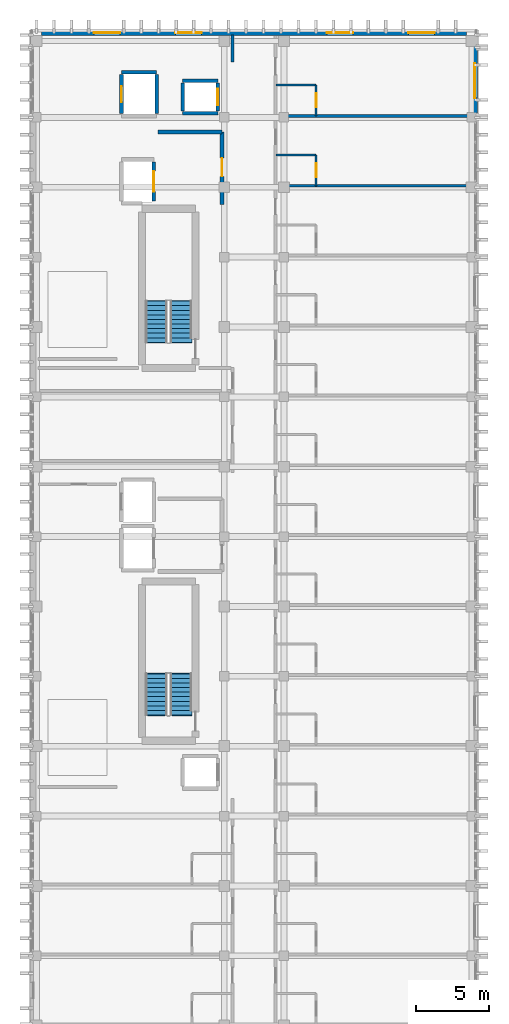
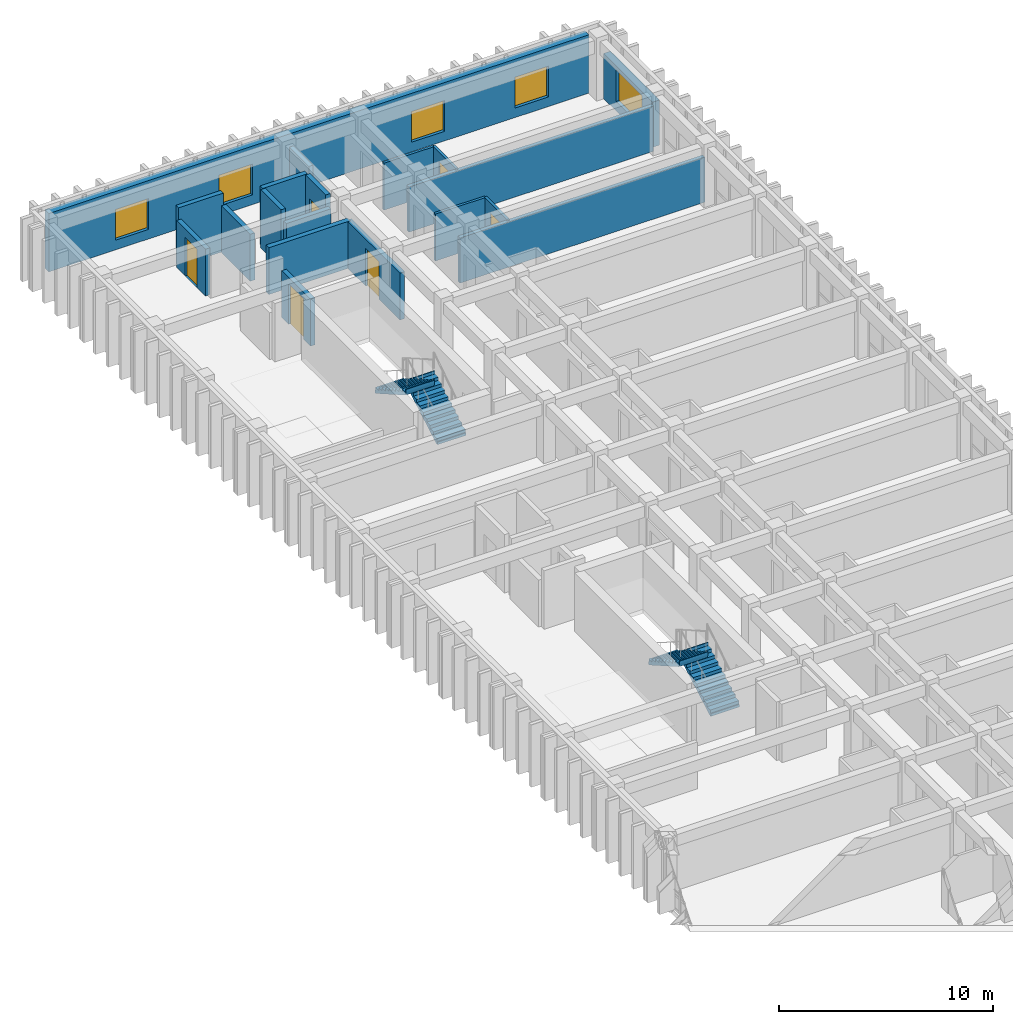
# One storey, part 55 of 64: 19 walls, 6 doors, 5 windows, 4 stair flights, 11 openings, 2 elements without a shape of their own.
"""IFC4 building model written with IfcOpenShell, lengths in metres."""

from ifc_helpers import new_model, si_unit, direction, frame, frame_2d, origin, place, context, subcontext, project, spatial, polyline, rectangle, outline, extrude, material, layer, layer_set, type_object, element, fill, aggregate, save


model = new_model("IFC4")

# Units and contexts
model_context = context("Model", 3, precision=1e-05, world=origin(), true_north=direction((0.0, 1.0)))
body_context = subcontext(model_context, "Body", "Model", "MODEL_VIEW")
ifc_project = project(units=[si_unit("LENGTHUNIT", "METRE"), si_unit("AREAUNIT", "SQUARE_METRE"), si_unit("VOLUMEUNIT", "CUBIC_METRE"), si_unit("PLANEANGLEUNIT", "RADIAN"), si_unit("MASSUNIT", "GRAM", prefix="KILO")], contexts=[model_context])

# Site, building, storey
site_placement = place(None, origin())
site = spatial("IfcSite", under=ifc_project, at=site_placement, CompositionType="ELEMENT")
building_placement = place(site_placement, origin())
building = spatial("IfcBuilding", under=site, at=building_placement, Name="Nakhvara Creek Congress Hotel", CompositionType="ELEMENT")
storey_placement = place(building_placement, frame((0.0, 0.0, 28.199951171875)))
storey = spatial("IfcBuildingStorey", under=building, at=storey_placement, Name="L06", CompositionType="ELEMENT", Elevation=28.199951171875)

# Wall
ifc_material_1 = material(Name="Gypsum acoustic board on steel stud", Category="steel")
ifc_layer_1 = layer(ifc_material_1, 0.219970703125)
ifc_layer_set_1 = layer_set([ifc_layer_1], Name="Gypsum acoustic board on steel stud")
wall_type_1 = type_object("IfcWallType", Name="W-CORR-220", PredefinedType="PARTITIONING", material=ifc_layer_set_1)
wall_1_placement = place(storey_placement, frame((162.919921875, 123.800048828125, 0.0), z_axis=(0.0, 0.0, 1.0), x_axis=(0.0, 1.0, 0.0)))
element("IfcWall", 1, at=wall_1_placement, inside=storey, type_object=wall_type_1, Name="Interior Wall WP11-IW-L06-0441", PredefinedType="PARTITIONING", context=body_context, shape_type="SweptSolid", body=[
    extrude(rectangle(XDim=1.849853515625, YDim=0.219970703125, at=frame_2d((0.9248046875, 0.0))), origin(), (0.0, 0.0, 1.0), 2.58203125),
])

# Wall, opening, door
ifc_material_2 = material(Name="Moisture-resistant gypsum board partition")
ifc_layer_2 = layer(ifc_material_2, 0.139892578125)
ifc_layer_set_2 = layer_set([ifc_layer_2], Name="Moisture-resistant gypsum board partition")
wall_type_2 = type_object("IfcWallType", Name="W-ENS-140", PredefinedType="PARTITIONING", material=ifc_layer_set_2)
wall_2_placement = place(storey_placement, frame((168.669921875, 115.300048828125, 0.0), z_axis=(0.0, 0.0, 1.0), x_axis=(0.0, 1.0, 0.0)))
wall_2 = element("IfcWall", 2, at=wall_2_placement, inside=storey, type_object=wall_type_2, Name="Interior Wall WP15-IW-L06-0513", PredefinedType="PARTITIONING", context=body_context, shape_type="SweptSolid", body=[
    extrude(rectangle(XDim=2.115966796875, YDim=0.139892578125, at=frame_2d((1.05810546875, 0.0))), origin(), (0.0, 0.0, 1.0), 2.68212890625),
])
opening_1_placement = place(wall_2_placement, frame((0.5830078125, 0.0, 0.0)))
opening_1 = element("IfcOpeningElement", 3, at=opening_1_placement, cuts=wall_2, Name="Opening ID02", PredefinedType="OPENING", context=body_context, shape_type="SweptSolid", body=[
    extrude(rectangle(XDim=0.9599609375, YDim=2.1201171875, at=frame_2d((0.47998046875, 1.06005859375))), frame((0.0, 0.08203125, 0.0), z_axis=(0.0, -1.0, 0.0), x_axis=(1.0, 0.0, 0.0)), (0.0, 0.0, 1.0), 0.163818359375),
])
ifc_material_3 = material(Name="Moisture-resistant walnut timber door", Category="wood")
door_type_1 = type_object("IfcDoorType", Name="DT-ENS-096", OperationType="NOTDEFINED", PredefinedType="DOOR", material=ifc_material_3)
door_1_placement = place(opening_1_placement, frame((0.9599609375, 0.0, 0.0), z_axis=(0.0, 0.0, 1.0), x_axis=(-1.0, 0.0, 0.0)))
door_1 = element("IfcDoor", 4, at=door_1_placement, inside=storey, type_object=door_type_1, Name="Interior Door ID02-0393", OperationType="SINGLE_SWING_RIGHT", OverallHeight=2.1201171875, OverallWidth=0.9599609375, PredefinedType="DOOR", context=body_context, shape_type="SweptSolid", body=[
    extrude(rectangle(XDim=0.9599609375, YDim=2.1201171875, at=frame_2d((0.47998046875, 1.06005859375))), frame((0.0, 0.02490234375, 0.0), z_axis=(0.0, -1.0, 0.0), x_axis=(1.0, 0.0, 0.0)), (0.0, 0.0, 1.0), 0.050048828125),
])
fill(opening_1, door_1)

# Wall
wall_3_placement = place(storey_placement, frame((165.919921875, 117.416015625, 0.0), z_axis=(0.0, 0.0, 1.0), x_axis=(1.0, 0.0, 0.0)))
element("IfcWall", 5, at=wall_3_placement, inside=storey, type_object=wall_type_2, Name="Interior Wall WP15-IW-L06-0514", PredefinedType="PARTITIONING", context=body_context, shape_type="SweptSolid", body=[
    extrude(rectangle(XDim=2.75, YDim=0.139892578125, at=frame_2d((1.375, 0.0))), origin(), (0.0, 0.0, 1.0), 2.68212890625),
])

# Wall, opening, door
wall_4_placement = place(storey_placement, frame((168.669921875, 120.10009765625, 0.0), z_axis=(0.0, 0.0, 1.0), x_axis=(0.0, 1.0, 0.0)))
wall_4 = element("IfcWall", 6, at=wall_4_placement, inside=storey, type_object=wall_type_2, Name="Interior Wall WP15-IW-L06-0516", PredefinedType="PARTITIONING", context=body_context, shape_type="SweptSolid", body=[
    extrude(rectangle(XDim=2.115966796875, YDim=0.139892578125, at=frame_2d((1.05810546875, 0.0))), origin(), (0.0, 0.0, 1.0), 2.68212890625),
])
opening_2_placement = place(wall_4_placement, frame((0.5830078125, 0.0, 0.0)))
opening_2 = element("IfcOpeningElement", 7, at=opening_2_placement, cuts=wall_4, Name="Opening ID02", PredefinedType="OPENING", context=body_context, shape_type="SweptSolid", body=[
    extrude(rectangle(XDim=0.9599609375, YDim=2.1201171875, at=frame_2d((0.47998046875, 1.06005859375))), frame((0.0, 0.08203125, 0.0), z_axis=(0.0, -1.0, 0.0), x_axis=(1.0, 0.0, 0.0)), (0.0, 0.0, 1.0), 0.163818359375),
])
door_2_placement = place(opening_2_placement, frame((0.9599609375, 0.0, 0.0), z_axis=(0.0, 0.0, 1.0), x_axis=(-1.0, 0.0, 0.0)))
door_2 = element("IfcDoor", 8, at=door_2_placement, inside=storey, type_object=door_type_1, Name="Interior Door ID02-0395", OperationType="SINGLE_SWING_RIGHT", OverallHeight=2.1201171875, OverallWidth=0.9599609375, PredefinedType="DOOR", context=body_context, shape_type="SweptSolid", body=[
    extrude(rectangle(XDim=0.9599609375, YDim=2.1201171875, at=frame_2d((0.47998046875, 1.06005859375))), frame((0.0, 0.02490234375, 0.0), z_axis=(0.0, -1.0, 0.0), x_axis=(1.0, 0.0, 0.0)), (0.0, 0.0, 1.0), 0.050048828125),
])
fill(opening_2, door_2)

# Wall
wall_5_placement = place(storey_placement, frame((165.919921875, 122.216064453125, 0.0), z_axis=(0.0, 0.0, 1.0), x_axis=(1.0, 0.0, 0.0)))
element("IfcWall", 9, at=wall_5_placement, inside=storey, type_object=wall_type_2, Name="Interior Wall WP15-IW-L06-0517", PredefinedType="PARTITIONING", context=body_context, shape_type="SweptSolid", body=[
    extrude(rectangle(XDim=2.75, YDim=0.139892578125, at=frame_2d((1.375, 0.0))), origin(), (0.0, 0.0, 1.0), 2.68212890625),
])

# Wall, openings, windows
ifc_material_4 = material(Name="Honed pale Omani limestone cladding", Category="masonry")
ifc_layer_3 = layer(ifc_material_4, 0.050048828125)
ifc_material_5 = material(Name="Mineral wool thermal insulation")
ifc_layer_4 = layer(ifc_material_5, 0.110107421875)
ifc_material_6 = material(Name="Precast concrete C40/50", Category="concrete")
ifc_layer_5 = layer(ifc_material_6, 0.219970703125)
ifc_layer_set_3 = layer_set([ifc_layer_3, ifc_layer_4, ifc_layer_5], Name="Precast concrete C40/50")
wall_type_3 = type_object("IfcWallType", Name="W-EXT-380", PredefinedType="SOLIDWALL", material=ifc_layer_set_3)
wall_6_placement = place(storey_placement, frame((149.800048828125, 125.81005859375, 0.0), z_axis=(0.0, 0.0, 1.0), x_axis=(1.0, 0.0, 0.0)))
wall_6 = element("IfcWall", 10, at=wall_6_placement, inside=storey, type_object=wall_type_3, Name="Exterior Wall WE03-EW-L06-0162", PredefinedType="SOLIDWALL", context=body_context, shape_type="SweptSolid", body=[
    extrude(rectangle(XDim=29.199951171875, YDim=0.3798828125, at=frame_2d((14.60009765625, 0.0))), origin(), (0.0, 0.0, 1.0), 3.340087890625),
])
opening_3_placement = place(wall_6_placement, frame((3.60009765625, 0.0, 0.550048828125)))
opening_3 = element("IfcOpeningElement", 11, at=opening_3_placement, cuts=wall_6, Name="Opening WN0170", PredefinedType="OPENING", context=body_context, shape_type="SweptSolid", body=[
    extrude(rectangle(XDim=1.800048828125, YDim=1.760009765625, at=frame_2d((0.89990234375, 0.8798828125))), frame((0.0, 0.201904296875, 0.0), z_axis=(0.0, -1.0, 0.0), x_axis=(1.0, 0.0, 0.0)), (0.0, 0.0, 1.0), 0.40380859375),
])
opening_4_placement = place(wall_6_placement, frame((9.199951171875, 0.0, 0.550048828125)))
opening_4 = element("IfcOpeningElement", 12, at=opening_4_placement, cuts=wall_6, Name="Opening WN0171", PredefinedType="OPENING", context=body_context, shape_type="SweptSolid", body=[
    extrude(rectangle(XDim=1.800048828125, YDim=1.760009765625, at=frame_2d((0.89990234375, 0.8798828125))), frame((0.0, 0.201904296875, 0.0), z_axis=(0.0, -1.0, 0.0), x_axis=(1.0, 0.0, 0.0)), (0.0, 0.0, 1.0), 0.40380859375),
])
opening_5_placement = place(wall_6_placement, frame((19.60009765625, 0.0, 0.550048828125)))
opening_5 = element("IfcOpeningElement", 13, at=opening_5_placement, cuts=wall_6, Name="Opening WN0172", PredefinedType="OPENING", context=body_context, shape_type="SweptSolid", body=[
    extrude(rectangle(XDim=1.800048828125, YDim=1.760009765625, at=frame_2d((0.89990234375, 0.8798828125))), frame((0.0, 0.201904296875, 0.0), z_axis=(0.0, -1.0, 0.0), x_axis=(1.0, 0.0, 0.0)), (0.0, 0.0, 1.0), 0.40380859375),
])
opening_6_placement = place(wall_6_placement, frame((25.199951171875, 0.0, 0.550048828125)))
opening_6 = element("IfcOpeningElement", 14, at=opening_6_placement, cuts=wall_6, Name="Opening WN0173", PredefinedType="OPENING", context=body_context, shape_type="SweptSolid", body=[
    extrude(rectangle(XDim=1.800048828125, YDim=1.760009765625, at=frame_2d((0.89990234375, 0.8798828125))), frame((0.0, 0.201904296875, 0.0), z_axis=(0.0, -1.0, 0.0), x_axis=(1.0, 0.0, 0.0)), (0.0, 0.0, 1.0), 0.40380859375),
])
ifc_material_7 = material(Name="Thermally broken bronze-anodised aluminium and double-silver low-E insulated glass", Category="aluminium")
window_type_1 = type_object("IfcWindowType", Name="WN-LAN-180X225", PartitioningType="SINGLE_PANEL", PredefinedType="WINDOW", material=ifc_material_7)
window_1_placement = place(opening_3_placement, origin())
window_1 = element("IfcWindow", 15, at=window_1_placement, inside=storey, type_object=window_type_1, Name="Facade Window WN0170", OverallHeight=1.760009765625, OverallWidth=1.800048828125, PartitioningType="SINGLE_PANEL", PredefinedType="WINDOW", context=body_context, shape_type="SweptSolid", body=[
    extrude(rectangle(XDim=1.800048828125, YDim=1.760009765625, at=frame_2d((0.89990234375, 0.8798828125))), frame((0.0, 0.030029296875, 0.0), z_axis=(0.0, -1.0, 0.0), x_axis=(1.0, 0.0, 0.0)), (0.0, 0.0, 1.0), 0.06005859375),
])
fill(opening_3, window_1)
window_2_placement = place(opening_4_placement, origin())
window_2 = element("IfcWindow", 16, at=window_2_placement, inside=storey, type_object=window_type_1, Name="Facade Window WN0171", OverallHeight=1.760009765625, OverallWidth=1.800048828125, PartitioningType="SINGLE_PANEL", PredefinedType="WINDOW", context=body_context, shape_type="SweptSolid", body=[
    extrude(rectangle(XDim=1.800048828125, YDim=1.760009765625, at=frame_2d((0.89990234375, 0.8798828125))), frame((0.0, 0.030029296875, 0.0), z_axis=(0.0, -1.0, 0.0), x_axis=(1.0, 0.0, 0.0)), (0.0, 0.0, 1.0), 0.06005859375),
])
fill(opening_4, window_2)
window_3_placement = place(opening_5_placement, origin())
window_3 = element("IfcWindow", 17, at=window_3_placement, inside=storey, type_object=window_type_1, Name="Facade Window WN0172", OverallHeight=1.760009765625, OverallWidth=1.800048828125, PartitioningType="SINGLE_PANEL", PredefinedType="WINDOW", context=body_context, shape_type="SweptSolid", body=[
    extrude(rectangle(XDim=1.800048828125, YDim=1.760009765625, at=frame_2d((0.89990234375, 0.8798828125))), frame((0.0, 0.030029296875, 0.0), z_axis=(0.0, -1.0, 0.0), x_axis=(1.0, 0.0, 0.0)), (0.0, 0.0, 1.0), 0.06005859375),
])
fill(opening_5, window_3)
window_4_placement = place(opening_6_placement, origin())
window_4 = element("IfcWindow", 18, at=window_4_placement, inside=storey, type_object=window_type_1, Name="Facade Window WN0173", OverallHeight=1.760009765625, OverallWidth=1.800048828125, PartitioningType="SINGLE_PANEL", PredefinedType="WINDOW", context=body_context, shape_type="SweptSolid", body=[
    extrude(rectangle(XDim=1.800048828125, YDim=1.760009765625, at=frame_2d((0.89990234375, 0.8798828125))), frame((0.0, 0.030029296875, 0.0), z_axis=(0.0, -1.0, 0.0), x_axis=(1.0, 0.0, 0.0)), (0.0, 0.0, 1.0), 0.06005859375),
])
fill(opening_6, window_4)

# Wall, opening, window
wall_7_placement = place(storey_placement, frame((179.56005859375, 124.89990234375, 0.0), z_axis=(0.0, 0.0, 1.0), x_axis=(0.0, -1.0, 0.0)))
wall_7 = element("IfcWall", 19, at=wall_7_placement, inside=storey, type_object=wall_type_3, Name="Exterior Wall WE03-EW-L06-0175", PredefinedType="SOLIDWALL", context=body_context, shape_type="SweptSolid", body=[
    extrude(rectangle(XDim=4.599853515625, YDim=0.3798828125, at=frame_2d((2.2998046875, 0.0))), origin(), (0.0, 0.0, 1.0), 2.58203125),
])
opening_7_placement = place(wall_7_placement, frame((1.18505859375, 0.0, 0.550048828125)))
opening_7 = element("IfcOpeningElement", 20, at=opening_7_placement, cuts=wall_7, Name="Opening WN0185", PredefinedType="OPENING", context=body_context, shape_type="SweptSolid", body=[
    extrude(rectangle(XDim=2.39990234375, YDim=1.800048828125, at=frame_2d((1.199951171875, 0.89990234375))), frame((0.0, 0.201904296875, 0.0), z_axis=(0.0, -1.0, 0.0), x_axis=(1.0, 0.0, 0.0)), (0.0, 0.0, 1.0), 0.40380859375),
])
window_type_2 = type_object("IfcWindowType", Name="WN-LAN-240X240", PartitioningType="SINGLE_PANEL", PredefinedType="WINDOW", material=ifc_material_7)
window_5_placement = place(opening_7_placement, origin())
window_5 = element("IfcWindow", 21, at=window_5_placement, inside=storey, type_object=window_type_2, Name="Facade Window WN0185", OverallHeight=1.800048828125, OverallWidth=2.39990234375, PartitioningType="SINGLE_PANEL", PredefinedType="WINDOW", context=body_context, shape_type="SweptSolid", body=[
    extrude(rectangle(XDim=2.39990234375, YDim=1.800048828125, at=frame_2d((1.199951171875, 0.89990234375))), frame((0.0, 0.030029296875, 0.0), z_axis=(0.0, -1.0, 0.0), x_axis=(1.0, 0.0, 0.0)), (0.0, 0.0, 1.0), 0.06005859375),
])
fill(opening_7, window_5)

# Wall, opening, door
ifc_material_8 = material(Name="Concrete C40/50", Category="concrete")
ifc_layer_6 = layer(ifc_material_8, 0.260009765625)
ifc_layer_set_4 = layer_set([ifc_layer_6], Name="Concrete C40/50")
wall_type_4 = type_object("IfcWallType", Name="W-FFL-260", PredefinedType="SOLIDWALL", material=ifc_layer_set_4)
wall_8_placement = place(storey_placement, frame((162.199951171875, 114.0, 0.0), z_axis=(0.0, 0.0, 1.0), x_axis=(0.0, 1.0, 0.0)))
wall_8 = element("IfcWall", 22, at=wall_8_placement, inside=storey, type_object=wall_type_4, Name="Core Shear Wall WI03-CWALL-L06-0428", PredefinedType="SOLIDWALL", context=body_context, shape_type="SweptSolid", body=[
    extrude(rectangle(XDim=5.0, YDim=0.260009765625, at=frame_2d((2.5, 0.0))), origin(), (0.0, 0.0, 1.0), 2.68212890625),
])
opening_8_placement = place(wall_8_placement, frame((1.949951171875, 0.0, 0.0)))
opening_8 = element("IfcOpeningElement", 23, at=opening_8_placement, cuts=wall_8, Name="Opening FD05", PredefinedType="OPENING", context=body_context, shape_type="SweptSolid", body=[
    extrude(rectangle(XDim=1.25, YDim=2.14990234375, at=frame_2d((0.625, 1.074951171875))), frame((0.0, 0.14208984375, 0.0), z_axis=(0.0, -1.0, 0.0), x_axis=(1.0, 0.0, 0.0)), (0.0, 0.0, 1.0), 0.283935546875),
])
ifc_material_9 = material(Name="Hardwood-veneered steel fire door", Category="steel")
door_type_2 = type_object("IfcDoorType", Name="DT-FFL-125", OperationType="NOTDEFINED", PredefinedType="DOOR", material=ifc_material_9)
door_3_placement = place(opening_8_placement, origin())
door_3 = element("IfcDoor", 24, at=door_3_placement, inside=storey, type_object=door_type_2, Name="Firefighting Lobby Door C2-L06", OperationType="DOUBLE_DOOR_SINGLE_SWING", OverallHeight=2.14990234375, OverallWidth=1.25, PredefinedType="DOOR", context=body_context, shape_type="SweptSolid", body=[
    extrude(rectangle(XDim=1.25, YDim=2.14990234375, at=frame_2d((0.625, 1.074951171875))), frame((0.0, 0.02490234375, 0.0), z_axis=(0.0, -1.0, 0.0), x_axis=(1.0, 0.0, 0.0)), (0.0, 0.0, 1.0), 0.050048828125),
])
fill(opening_8, door_3)

# Walls
wall_9_placement = place(storey_placement, frame((157.800048828125, 119.0, 0.0), z_axis=(0.0, 0.0, 1.0), x_axis=(1.0, 0.0, 0.0)))
element("IfcWall", 25, at=wall_9_placement, inside=storey, type_object=wall_type_4, Name="Core Shear Wall WI03-CWALL-L06-0429", PredefinedType="SOLIDWALL", context=body_context, shape_type="SweptSolid", body=[
    extrude(rectangle(XDim=4.39990234375, YDim=0.260009765625, at=frame_2d((2.199951171875, 0.0))), origin(), (0.0, 0.0, 1.0), 2.68212890625),
])
ifc_layer_7 = layer(ifc_material_1, 0.199951171875)
ifc_layer_set_5 = layer_set([ifc_layer_7], Name="Gypsum acoustic board on steel stud")
wall_type_5 = type_object("IfcWallType", Name="W-PART-200", PredefinedType="PARTITIONING", material=ifc_layer_set_5)
for number, where, z_axis, x_axis, name in (
    (26, (166.02001953125, 115.300048828125, 0.0), (0.0, 0.0, 1.0), (1.0, 0.0, 0.0), "Interior Wall WP12-IW-L06-0512"),
    (27, (166.02001953125, 120.10009765625, 0.0), (0.0, 0.0, 1.0), (1.0, 0.0, 0.0), "Interior Wall WP12-IW-L06-0515"),
):
    element("IfcWall", number, at=place(storey_placement, frame(where, z_axis=z_axis, x_axis=x_axis)), inside=storey, type_object=wall_type_5, Name=name, PredefinedType="PARTITIONING", context=body_context, shape_type="SweptSolid", body=[
        extrude(rectangle(XDim=13.22998046875, YDim=0.199951171875, at=frame_2d((6.614990234375, 0.0))), origin(), (0.0, 0.0, 1.0), 2.58203125),
    ])

# Wall, opening, door
ifc_layer_8 = layer(ifc_material_8, 0.25)
ifc_layer_set_6 = layer_set([ifc_layer_8], Name="Concrete C40/50")
wall_type_6 = type_object("IfcWallType", Name="W-SHAFT-250", PredefinedType="SOLIDWALL", material=ifc_layer_set_6)
wall_10_placement = place(storey_placement, frame((157.510009765625, 114.25, 0.0), z_axis=(0.0, 0.0, 1.0), x_axis=(0.0, 1.0, 0.0)))
wall_10 = element("IfcWall", 28, at=wall_10_placement, inside=storey, type_object=wall_type_6, Name="Core Shear Wall WI02-CWALL-L06-0419", PredefinedType="SOLIDWALL", context=body_context, shape_type="SweptSolid", body=[
    extrude(rectangle(XDim=2.699951171875, YDim=0.25, at=frame_2d((1.35009765625, 0.0))), origin(), (0.0, 0.0, 1.0), 2.68212890625),
])
opening_9_placement = place(wall_10_placement, frame((0.64990234375, 0.0, 0.0)))
opening_9 = element("IfcOpeningElement", 29, at=opening_9_placement, cuts=wall_10, Name="Opening LD02", PredefinedType="OPENING", context=body_context, shape_type="SweptSolid", body=[
    extrude(rectangle(XDim=1.39990234375, YDim=2.300048828125, at=frame_2d((0.699951171875, 1.14990234375))), frame((0.0, 0.136962890625, 0.0), z_axis=(0.0, -1.0, 0.0), x_axis=(1.0, 0.0, 0.0)), (0.0, 0.0, 1.0), 0.27392578125),
])
ifc_material_10 = material(Name="Brushed stainless steel heavy goods landing door", Category="steel")
door_type_3 = type_object("IfcDoorType", Name="DT-LIFT-140", OperationType="DOUBLE_DOOR_SLIDING", PredefinedType="DOOR", material=ifc_material_10)
door_4_placement = place(opening_9_placement, origin())
door_4 = element("IfcDoor", 30, at=door_4_placement, inside=storey, type_object=door_type_3, Name="Landing Door FFL2-L06", OperationType="SLIDING_TO_LEFT", OverallHeight=2.300048828125, OverallWidth=1.39990234375, PredefinedType="DOOR", context=body_context, shape_type="SweptSolid", body=[
    extrude(rectangle(XDim=1.39990234375, YDim=2.300048828125, at=frame_2d((0.699951171875, 1.14990234375))), frame((0.0, 0.02490234375, 0.0), z_axis=(0.0, -1.0, 0.0), x_axis=(1.0, 0.0, 0.0)), (0.0, 0.0, 1.0), 0.050048828125),
])
fill(opening_9, door_4)

# Walls
wall_11_placement = place(storey_placement, frame((159.489990234375, 120.2900390625, 0.0), z_axis=(0.0, 0.0, 1.0), x_axis=(1.0, 0.0, 0.0)))
element("IfcWall", 31, at=wall_11_placement, inside=storey, type_object=wall_type_6, Name="Core Shear Wall WI02-CWALL-L06-0420", PredefinedType="SOLIDWALL", context=body_context, shape_type="SweptSolid", body=[
    extrude(rectangle(XDim=2.419921875, YDim=0.25, at=frame_2d((1.2099609375, 0.0))), origin(), (0.0, 0.0, 1.0), 2.68212890625),
])
wall_12_placement = place(storey_placement, frame((159.489990234375, 122.510009765625, 0.0), z_axis=(0.0, 0.0, 1.0), x_axis=(1.0, 0.0, 0.0)))
element("IfcWall", 32, at=wall_12_placement, inside=storey, type_object=wall_type_6, Name="Core Shear Wall WI02-CWALL-L06-0421", PredefinedType="SOLIDWALL", context=body_context, shape_type="SweptSolid", body=[
    extrude(rectangle(XDim=2.419921875, YDim=0.25, at=frame_2d((1.2099609375, 0.0))), origin(), (0.0, 0.0, 1.0), 3.340087890625),
])
wall_13_placement = place(storey_placement, frame((159.489990234375, 120.449951171875, 0.0), z_axis=(0.0, 0.0, 1.0), x_axis=(0.0, 1.0, 0.0)))
element("IfcWall", 33, at=wall_13_placement, inside=storey, type_object=wall_type_6, Name="Core Shear Wall WI02-CWALL-L06-0422", PredefinedType="SOLIDWALL", context=body_context, shape_type="SweptSolid", body=[
    extrude(rectangle(XDim=1.900146484375, YDim=0.25, at=frame_2d((0.9501953125, 0.0))), origin(), (0.0, 0.0, 1.0), 3.340087890625),
])

# Wall, opening, door
wall_14_placement = place(storey_placement, frame((161.909912109375, 120.449951171875, 0.0), z_axis=(0.0, 0.0, 1.0), x_axis=(0.0, 1.0, 0.0)))
wall_14 = element("IfcWall", 34, at=wall_14_placement, inside=storey, type_object=wall_type_6, Name="Core Shear Wall WI02-CWALL-L06-0423", PredefinedType="SOLIDWALL", context=body_context, shape_type="SweptSolid", body=[
    extrude(rectangle(XDim=1.900146484375, YDim=0.25, at=frame_2d((0.9501953125, 0.0))), origin(), (0.0, 0.0, 1.0), 3.340087890625),
])
opening_10_placement = place(wall_14_placement, frame((0.39990234375, 0.0, 0.0)))
opening_10 = element("IfcOpeningElement", 35, at=opening_10_placement, cuts=wall_14, Name="Opening LD01", PredefinedType="OPENING", context=body_context, shape_type="SweptSolid", body=[
    extrude(rectangle(XDim=1.10009765625, YDim=2.199951171875, at=frame_2d((0.550048828125, 1.10009765625))), frame((0.0, 0.136962890625, 0.0), z_axis=(0.0, -1.0, 0.0), x_axis=(1.0, 0.0, 0.0)), (0.0, 0.0, 1.0), 0.27392578125),
])
ifc_material_11 = material(Name="Brushed stainless steel sliding landing door", Category="steel")
door_type_4 = type_object("IfcDoorType", Name="DT-LIFT-110", OperationType="DOUBLE_DOOR_SLIDING", PredefinedType="DOOR", material=ifc_material_11)
door_5_placement = place(opening_10_placement, origin())
door_5 = element("IfcDoor", 36, at=door_5_placement, inside=storey, type_object=door_type_4, Name="Landing Door PL01-L06", OperationType="SLIDING_TO_LEFT", OverallHeight=2.199951171875, OverallWidth=1.10009765625, PredefinedType="DOOR", context=body_context, shape_type="SweptSolid", body=[
    extrude(rectangle(XDim=1.10009765625, YDim=2.199951171875, at=frame_2d((0.550048828125, 1.10009765625))), frame((0.0, 0.02490234375, 0.0), z_axis=(0.0, -1.0, 0.0), x_axis=(1.0, 0.0, 0.0)), (0.0, 0.0, 1.0), 0.050048828125),
])
fill(opening_10, door_5)

# Wall
wall_15_placement = place(storey_placement, frame((155.2900390625, 123.110107421875, 0.0), z_axis=(0.0, 0.0, 1.0), x_axis=(1.0, 0.0, 0.0)))
element("IfcWall", 37, at=wall_15_placement, inside=storey, type_object=wall_type_6, Name="Core Shear Wall WI02-CWALL-L06-0425", PredefinedType="SOLIDWALL", context=body_context, shape_type="SweptSolid", body=[
    extrude(rectangle(XDim=2.419921875, YDim=0.25, at=frame_2d((1.2099609375, 0.0))), origin(), (0.0, 0.0, 1.0), 3.340087890625),
])

# Wall, opening, door
wall_16_placement = place(storey_placement, frame((155.2900390625, 120.25, 0.0), z_axis=(0.0, 0.0, 1.0), x_axis=(0.0, 1.0, 0.0)))
wall_16 = element("IfcWall", 38, at=wall_16_placement, inside=storey, type_object=wall_type_6, Name="Core Shear Wall WI02-CWALL-L06-0426", PredefinedType="SOLIDWALL", context=body_context, shape_type="SweptSolid", body=[
    extrude(rectangle(XDim=2.699951171875, YDim=0.25, at=frame_2d((1.35009765625, 0.0))), origin(), (0.0, 0.0, 1.0), 2.68212890625),
])
opening_11_placement = place(wall_16_placement, frame((0.800048828125, 0.0, 0.0)))
opening_11 = element("IfcOpeningElement", 39, at=opening_11_placement, cuts=wall_16, Name="Opening LD01", PredefinedType="OPENING", context=body_context, shape_type="SweptSolid", body=[
    extrude(rectangle(XDim=1.10009765625, YDim=2.199951171875, at=frame_2d((0.550048828125, 1.10009765625))), frame((0.0, 0.136962890625, 0.0), z_axis=(0.0, -1.0, 0.0), x_axis=(1.0, 0.0, 0.0)), (0.0, 0.0, 1.0), 0.27392578125),
])
door_6_placement = place(opening_11_placement, origin())
door_6 = element("IfcDoor", 40, at=door_6_placement, inside=storey, type_object=door_type_4, Name="Landing Door SL02-L06", OperationType="SLIDING_TO_LEFT", OverallHeight=2.199951171875, OverallWidth=1.10009765625, PredefinedType="DOOR", context=body_context, shape_type="SweptSolid", body=[
    extrude(rectangle(XDim=1.10009765625, YDim=2.199951171875, at=frame_2d((0.550048828125, 1.10009765625))), frame((0.0, 0.02490234375, 0.0), z_axis=(0.0, -1.0, 0.0), x_axis=(1.0, 0.0, 0.0)), (0.0, 0.0, 1.0), 0.050048828125),
])
fill(opening_11, door_6)

# Wall
wall_17_placement = place(storey_placement, frame((157.7099609375, 120.25, 0.0), z_axis=(0.0, 0.0, 1.0), x_axis=(0.0, 1.0, 0.0)))
element("IfcWall", 41, at=wall_17_placement, inside=storey, type_object=wall_type_6, Name="Core Shear Wall WI02-CWALL-L06-0427", PredefinedType="SOLIDWALL", context=body_context, shape_type="SweptSolid", body=[
    extrude(rectangle(XDim=2.699951171875, YDim=0.25, at=frame_2d((1.35009765625, 0.0))), origin(), (0.0, 0.0, 1.0), 2.68212890625),
])

# Stair, stair flights
stair_type = type_object("IfcStairType", Name="ST-CORE-160", PredefinedType="HALF_TURN_STAIR", material=ifc_material_8)
stair_1_placement = place(storey_placement, origin())
stair_1 = element("IfcStair", 42, at=stair_1_placement, inside=storey, type_object=stair_type, Name="L06 Protected Exit Stair ST01", PredefinedType="HALF_TURN_STAIR")
ifc_layer_9 = layer(ifc_material_8, 0.18994140625)
ifc_layer_set_7 = layer_set([ifc_layer_9], Name="Concrete C40/50")
stair_flight_type = type_object("IfcStairFlightType", Name="SFL-RC-160", PredefinedType="STRAIGHT", material=ifc_layer_set_7)
stair_flight_1_placement = place(storey_placement, frame((159.3798828125, 78.93994140625, 0.0), z_axis=(0.0, 0.0, 1.0), x_axis=(0.0, 1.0, 0.0)))
stair_flight_1 = element("IfcStairFlight", 43, at=stair_flight_1_placement, type_object=stair_flight_type, Name="ST01 flight 1", NumberOfRisers=10, NumberOfTreads=9, PredefinedType="STRAIGHT", RiserHeight=0.18, TreadLength=0.315, context=body_context, shape_type="SweptSolid", body=[
    extrude(outline(polyline([(-0.048095703125, 0.0), (0.0, 0.0), (0.0, 0.179931640625), (0.31494140625, 0.179931640625), (0.31494140625, 0.360107421875), (0.6298828125, 0.360107421875), (0.6298828125, 0.5400390625), (0.945068359375, 0.5400390625), (0.945068359375, 0.719970703125), (1.260009765625, 0.719970703125), (1.260009765625, 0.89990234375), (1.574951171875, 0.89990234375), (1.574951171875, 1.080078125), (1.889892578125, 1.080078125), (1.889892578125, 1.260009765625), (2.205078125, 1.260009765625), (2.205078125, 1.43994140625), (2.52001953125, 1.43994140625), (2.52001953125, 1.6201171875), (2.8349609375, 1.6201171875), (2.8349609375, 1.800048828125), (2.883056640625, 1.800048828125), (2.883056640625, 1.650146484375), (2.8349609375, 1.447265625), (0.039794921875, -0.14990234375), (-0.048095703125, -0.14990234375), (-0.048095703125, 0.0)])), frame((0.0, 0.77001953125, 0.0), z_axis=(0.0, -1.0, 0.0), x_axis=(1.0, 0.0, 0.0)), (0.0, 0.0, 1.0), 1.5400390625),
])
stair_flight_2_placement = place(storey_placement, frame((157.68994140625, 81.77490234375, 1.800048828125), z_axis=(0.0, 0.0, 1.0), x_axis=(0.0, -1.0, 0.0)))
stair_flight_2 = element("IfcStairFlight", 44, at=stair_flight_2_placement, type_object=stair_flight_type, Name="ST01 flight 2", NumberOfRisers=10, NumberOfTreads=9, PredefinedType="STRAIGHT", RiserHeight=0.18, TreadLength=0.315, context=body_context, shape_type="SweptSolid", body=[
    extrude(outline(polyline([(-0.048095703125, 0.0), (0.0, 0.0), (0.0, 0.179931640625), (0.31494140625, 0.179931640625), (0.31494140625, 0.360107421875), (0.6298828125, 0.360107421875), (0.6298828125, 0.5400390625), (0.945068359375, 0.5400390625), (0.945068359375, 0.719970703125), (1.260009765625, 0.719970703125), (1.260009765625, 0.89990234375), (1.574951171875, 0.89990234375), (1.574951171875, 1.080078125), (1.889892578125, 1.080078125), (1.889892578125, 1.260009765625), (2.205078125, 1.260009765625), (2.205078125, 1.43994140625), (2.52001953125, 1.43994140625), (2.52001953125, 1.6201171875), (2.8349609375, 1.6201171875), (2.8349609375, 1.800048828125), (2.883056640625, 1.800048828125), (2.883056640625, 1.650146484375), (2.8349609375, 1.447265625), (0.039794921875, -0.14990234375), (-0.048095703125, -0.14990234375), (-0.048095703125, 0.0)])), frame((0.0, 0.77001953125, 0.0), z_axis=(0.0, -1.0, 0.0), x_axis=(1.0, 0.0, 0.0)), (0.0, 0.0, 1.0), 1.5400390625),
])
aggregate(stair_1, [stair_flight_1, stair_flight_2])

stair_2_placement = place(storey_placement, origin())
stair_2 = element("IfcStair", 45, at=stair_2_placement, inside=storey, type_object=stair_type, Name="L06 Protected Exit Stair ST02", PredefinedType="HALF_TURN_STAIR")
stair_flight_3_placement = place(storey_placement, frame((159.3798828125, 104.5400390625, 0.0), z_axis=(0.0, 0.0, 1.0), x_axis=(0.0, 1.0, 0.0)))
stair_flight_3 = element("IfcStairFlight", 46, at=stair_flight_3_placement, type_object=stair_flight_type, Name="ST02 flight 1", NumberOfRisers=10, NumberOfTreads=9, PredefinedType="STRAIGHT", RiserHeight=0.18, TreadLength=0.315, context=body_context, shape_type="SweptSolid", body=[
    extrude(outline(polyline([(-0.048095703125, 0.0), (0.0, 0.0), (0.0, 0.179931640625), (0.31494140625, 0.179931640625), (0.31494140625, 0.360107421875), (0.6298828125, 0.360107421875), (0.6298828125, 0.5400390625), (0.945068359375, 0.5400390625), (0.945068359375, 0.719970703125), (1.260009765625, 0.719970703125), (1.260009765625, 0.89990234375), (1.574951171875, 0.89990234375), (1.574951171875, 1.080078125), (1.889892578125, 1.080078125), (1.889892578125, 1.260009765625), (2.205078125, 1.260009765625), (2.205078125, 1.43994140625), (2.52001953125, 1.43994140625), (2.52001953125, 1.6201171875), (2.8349609375, 1.6201171875), (2.8349609375, 1.800048828125), (2.883056640625, 1.800048828125), (2.883056640625, 1.650146484375), (2.8349609375, 1.447265625), (0.039794921875, -0.14990234375), (-0.048095703125, -0.14990234375), (-0.048095703125, 0.0)])), frame((0.0, 0.77001953125, 0.0), z_axis=(0.0, -1.0, 0.0), x_axis=(1.0, 0.0, 0.0)), (0.0, 0.0, 1.0), 1.5400390625),
])
stair_flight_4_placement = place(storey_placement, frame((157.68994140625, 107.375, 1.800048828125), z_axis=(0.0, 0.0, 1.0), x_axis=(0.0, -1.0, 0.0)))
stair_flight_4 = element("IfcStairFlight", 47, at=stair_flight_4_placement, type_object=stair_flight_type, Name="ST02 flight 2", NumberOfRisers=10, NumberOfTreads=9, PredefinedType="STRAIGHT", RiserHeight=0.18, TreadLength=0.315, context=body_context, shape_type="SweptSolid", body=[
    extrude(outline(polyline([(-0.048095703125, 0.0), (0.0, 0.0), (0.0, 0.179931640625), (0.31494140625, 0.179931640625), (0.31494140625, 0.360107421875), (0.6298828125, 0.360107421875), (0.6298828125, 0.5400390625), (0.945068359375, 0.5400390625), (0.945068359375, 0.719970703125), (1.260009765625, 0.719970703125), (1.260009765625, 0.89990234375), (1.574951171875, 0.89990234375), (1.574951171875, 1.080078125), (1.889892578125, 1.080078125), (1.889892578125, 1.260009765625), (2.205078125, 1.260009765625), (2.205078125, 1.43994140625), (2.52001953125, 1.43994140625), (2.52001953125, 1.6201171875), (2.8349609375, 1.6201171875), (2.8349609375, 1.800048828125), (2.883056640625, 1.800048828125), (2.883056640625, 1.650146484375), (2.8349609375, 1.447265625), (0.039794921875, -0.14990234375), (-0.048095703125, -0.14990234375), (-0.048095703125, 0.0)])), frame((0.0, 0.77001953125, 0.0), z_axis=(0.0, -1.0, 0.0), x_axis=(1.0, 0.0, 0.0)), (0.0, 0.0, 1.0), 1.5400390625),
])
aggregate(stair_2, [stair_flight_3, stair_flight_4])

save(model, "model.ifc")
